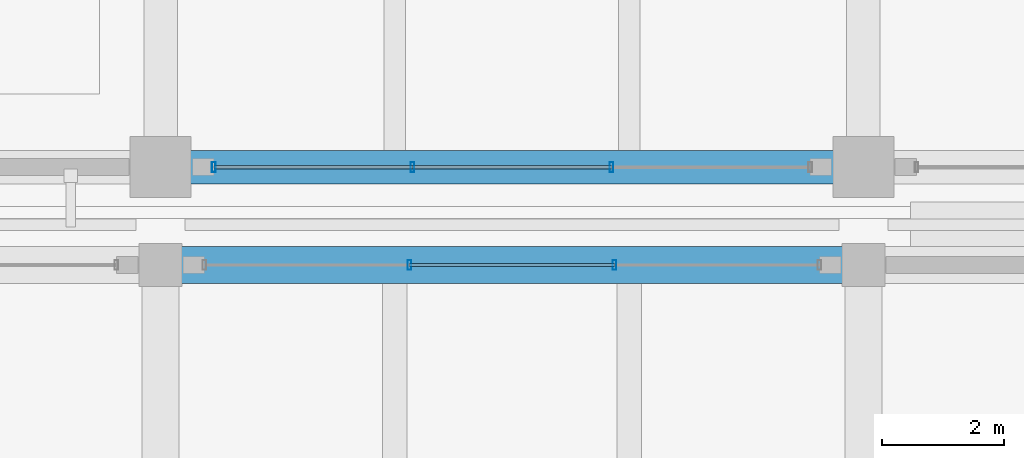
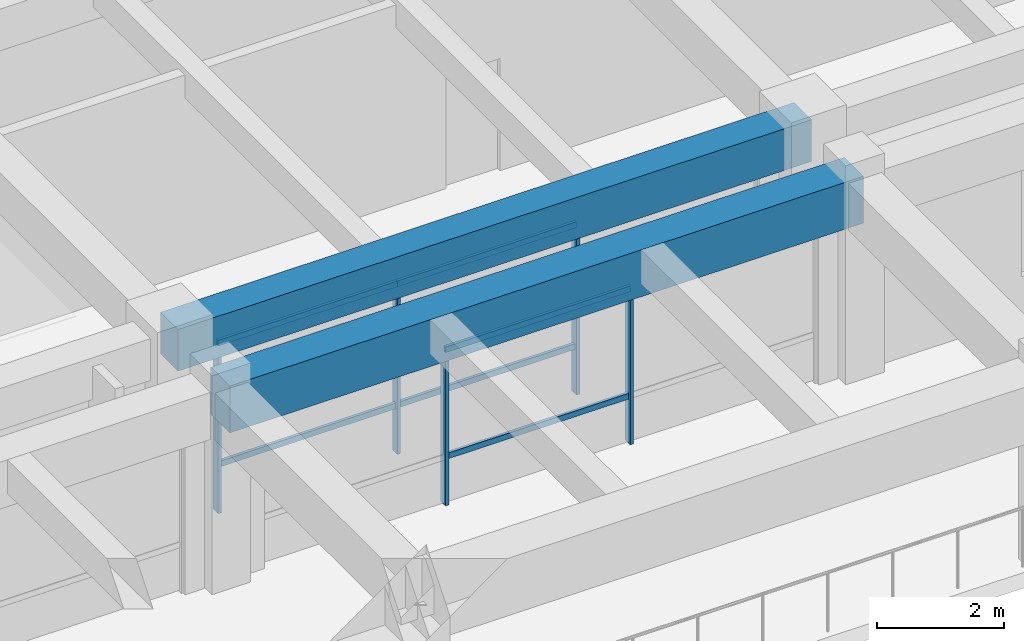
# One storey, part 53 of 98: 11 members, 2 beams, 2 elements without a shape of their own.
"""IFC4 building model written with IfcOpenShell, lengths in metres."""

from ifc_helpers import new_model, si_unit, direction, frame, origin, origin_2d, place, context, subcontext, project, spatial, rectangle, hollow_rectangle, extrude, material, material_profile, profile_set, type_object, element, aggregate, save


model = new_model("IFC4")

# Units and contexts
model_context = context("Model", 3, precision=1e-05, world=origin(), true_north=direction((0.0, 1.0)))
body_context = subcontext(model_context, "Body", "Model", "MODEL_VIEW")
ifc_project = project(units=[si_unit("LENGTHUNIT", "METRE"), si_unit("AREAUNIT", "SQUARE_METRE"), si_unit("VOLUMEUNIT", "CUBIC_METRE"), si_unit("PLANEANGLEUNIT", "RADIAN"), si_unit("MASSUNIT", "GRAM", prefix="KILO")], contexts=[model_context])

# Site, building, storey
site_placement = place(None, origin())
site = spatial("IfcSite", under=ifc_project, at=site_placement, CompositionType="ELEMENT")
building_placement = place(site_placement, origin())
building = spatial("IfcBuilding", under=site, at=building_placement, Name="Ologun Quay Terminus", CompositionType="ELEMENT")
storey_placement = place(building_placement, frame((0.0, 0.0, 4.199951171875)))
storey = spatial("IfcBuildingStorey", under=building, at=storey_placement, Name="L01", CompositionType="ELEMENT", Elevation=4.199951171875)

# Curtain wall, members
ifc_material_1 = material(Name="Aluminium 6063-T6", Category="aluminium")
curtain_wall_type_1 = type_object("IfcCurtainWallType", Name="Forecourt Mezzanine Curtain Wall 10700x3850", PredefinedType="USERDEFINED", material=ifc_material_1)
curtain_wall_1_placement = place(storey_placement, origin())
curtain_wall_1 = element("IfcCurtainWall", 1, at=curtain_wall_1_placement, inside=storey, type_object=curtain_wall_type_1, Name="CW-04 Curtain Wall CW-L01-091", ObjectType="UNITISED CURTAIN WALL", PredefinedType="USERDEFINED")
ifc_material_2 = material(Name="Aluminium 6063-T6", Category="aluminium")
ifc_material_profile_1 = material_profile(ifc_material_2, hollow_rectangle(XDim=0.06005859375, YDim=0.159912109375, WallThickness=0.00390625, at=origin_2d()), Name="ALU 160x60x4")
ifc_profile_set_1 = profile_set([ifc_material_profile_1], Name="Aluminium 6063-T6")
member_type_1 = type_object("IfcMemberType", Name="Courtyard Screen Mullion 160x65", PredefinedType="MULLION", material=ifc_profile_set_1)
member_1_placement = place(storey_placement, frame((130.5732421875, 84.199951171875, 0.0), z_axis=(0.0, 0.0, 1.0), x_axis=(1.0, 0.0, 0.0)))
member_1 = element("IfcMember", 2, at=member_1_placement, type_object=member_type_1, Name="CW-L01-091 Mullion 2", PredefinedType="MULLION", context=body_context, shape_type="SweptSolid", body=[
    extrude(hollow_rectangle(XDim=0.06005859375, YDim=0.159912109375, WallThickness=0.00390625, at=origin_2d()), origin(), (0.0, 0.0, 1.0), 3.650146484375),
])
member_2_placement = place(storey_placement, frame((133.9267578125, 84.199951171875, 0.0), z_axis=(0.0, 0.0, 1.0), x_axis=(1.0, 0.0, 0.0)))
member_2 = element("IfcMember", 3, at=member_2_placement, type_object=member_type_1, Name="CW-L01-091 Mullion 3", PredefinedType="MULLION", context=body_context, shape_type="SweptSolid", body=[
    extrude(hollow_rectangle(XDim=0.06005859375, YDim=0.159912109375, WallThickness=0.00390625, at=origin_2d()), origin(), (0.0, 0.0, 1.0), 3.650146484375),
])

ifc_material_3 = material(Name="Aluminium 6063-T6", Category="aluminium")
curtain_wall_type_2 = type_object("IfcCurtainWallType", Name="Waterfront Pavilion Harbour Curtain Wall L01 10500x3850", PredefinedType="USERDEFINED", material=ifc_material_3)
curtain_wall_2_placement = place(storey_placement, origin())
curtain_wall_2 = element("IfcCurtainWall", 4, at=curtain_wall_2_placement, inside=storey, type_object=curtain_wall_type_2, Name="CW-23 Curtain Wall CW-L01-124", ObjectType="UNITISED CURTAIN WALL", PredefinedType="USERDEFINED")
member_3_placement = place(storey_placement, frame((127.3701171875, 85.800048828125, 0.0), z_axis=(0.0, 0.0, 1.0), x_axis=(1.0, 0.0, 0.0)))
member_3 = element("IfcMember", 5, at=member_3_placement, type_object=member_type_1, Name="CW-L01-124 Mullion 1", PredefinedType="MULLION", context=body_context, shape_type="SweptSolid", body=[
    extrude(hollow_rectangle(XDim=0.06005859375, YDim=0.159912109375, WallThickness=0.00390625, at=origin_2d()), origin(), (0.0, 0.0, 1.0), 3.929931640625),
])
member_4_placement = place(storey_placement, frame((130.623291015625, 85.800048828125, 0.0), z_axis=(0.0, 0.0, 1.0), x_axis=(1.0, 0.0, 0.0)))
member_4 = element("IfcMember", 6, at=member_4_placement, type_object=member_type_1, Name="CW-L01-124 Mullion 2", PredefinedType="MULLION", context=body_context, shape_type="SweptSolid", body=[
    extrude(hollow_rectangle(XDim=0.06005859375, YDim=0.159912109375, WallThickness=0.00390625, at=origin_2d()), origin(), (0.0, 0.0, 1.0), 3.929931640625),
])
member_5_placement = place(storey_placement, frame((133.876708984375, 85.800048828125, 0.0), z_axis=(0.0, 0.0, 1.0), x_axis=(1.0, 0.0, 0.0)))
member_5 = element("IfcMember", 7, at=member_5_placement, type_object=member_type_1, Name="CW-L01-124 Mullion 3", PredefinedType="MULLION", context=body_context, shape_type="SweptSolid", body=[
    extrude(hollow_rectangle(XDim=0.06005859375, YDim=0.159912109375, WallThickness=0.00390625, at=origin_2d()), origin(), (0.0, 0.0, 1.0), 3.929931640625),
])

# Member
ifc_material_4 = material(Name="Aluminium 6063-T6", Category="aluminium")
ifc_material_profile_2 = material_profile(ifc_material_4, hollow_rectangle(XDim=0.054931640625, YDim=0.110107421875, WallThickness=0.00390625, at=origin_2d()), Name="ALU 110x55x4")
ifc_profile_set_2 = profile_set([ifc_material_profile_2], Name="Aluminium 6063-T6")
member_type_2 = type_object("IfcMemberType", Name="Courtyard Screen Transom 110x55", PredefinedType="USERDEFINED", material=ifc_profile_set_2)
member_6_placement = place(storey_placement, frame((130.5732421875, 84.199951171875, 0.900146484375), z_axis=(1.0, 0.0, 0.0), x_axis=(0.0, 1.0, 0.0)))
member_6 = element("IfcMember", 8, at=member_6_placement, type_object=member_type_2, Name="CW-L01-091 Transom B2-1", ObjectType="TRANSOM", PredefinedType="USERDEFINED", context=body_context, shape_type="SweptSolid", body=[
    extrude(hollow_rectangle(XDim=0.054931640625, YDim=0.110107421875, WallThickness=0.00390625, at=origin_2d()), origin(), (0.0, 0.0, 1.0), 3.353515625),
])

member_7_placement = place(storey_placement, frame((130.5732421875, 84.199951171875, 2.949951171875), z_axis=(1.0, 0.0, 0.0), x_axis=(0.0, 1.0, 0.0)))
member_7 = element("IfcMember", 9, at=member_7_placement, type_object=member_type_2, Name="CW-L01-091 Transom B2-2", ObjectType="TRANSOM", PredefinedType="USERDEFINED", context=body_context, shape_type="SweptSolid", body=[
    extrude(hollow_rectangle(XDim=0.054931640625, YDim=0.110107421875, WallThickness=0.00390625, at=origin_2d()), origin(), (0.0, 0.0, 1.0), 3.353515625),
])

aggregate(curtain_wall_1, [member_1, member_2, member_6, member_7])

member_8_placement = place(storey_placement, frame((127.3701171875, 85.800048828125, 0.900146484375), z_axis=(1.0, 0.0, 0.0), x_axis=(0.0, 1.0, 0.0)))
member_8 = element("IfcMember", 10, at=member_8_placement, type_object=member_type_2, Name="CW-L01-124 Transom B1-1", ObjectType="TRANSOM", PredefinedType="USERDEFINED", context=body_context, shape_type="SweptSolid", body=[
    extrude(hollow_rectangle(XDim=0.054931640625, YDim=0.110107421875, WallThickness=0.00390625, at=origin_2d()), origin(), (0.0, 0.0, 1.0), 3.253173828125),
])

member_9_placement = place(storey_placement, frame((127.3701171875, 85.800048828125, 3.22998046875), z_axis=(1.0, 0.0, 0.0), x_axis=(0.0, 1.0, 0.0)))
member_9 = element("IfcMember", 11, at=member_9_placement, type_object=member_type_2, Name="CW-L01-124 Transom B1-2", ObjectType="TRANSOM", PredefinedType="USERDEFINED", context=body_context, shape_type="SweptSolid", body=[
    extrude(hollow_rectangle(XDim=0.054931640625, YDim=0.110107421875, WallThickness=0.00390625, at=origin_2d()), origin(), (0.0, 0.0, 1.0), 3.253173828125),
])

member_10_placement = place(storey_placement, frame((130.623291015625, 85.800048828125, 0.900146484375), z_axis=(1.0, 0.0, 0.0), x_axis=(0.0, 1.0, 0.0)))
member_10 = element("IfcMember", 12, at=member_10_placement, type_object=member_type_2, Name="CW-L01-124 Transom B2-1", ObjectType="TRANSOM", PredefinedType="USERDEFINED", context=body_context, shape_type="SweptSolid", body=[
    extrude(hollow_rectangle(XDim=0.054931640625, YDim=0.110107421875, WallThickness=0.00390625, at=origin_2d()), origin(), (0.0, 0.0, 1.0), 3.25341796875),
])

member_11_placement = place(storey_placement, frame((130.623291015625, 85.800048828125, 3.22998046875), z_axis=(1.0, 0.0, 0.0), x_axis=(0.0, 1.0, 0.0)))
member_11 = element("IfcMember", 13, at=member_11_placement, type_object=member_type_2, Name="CW-L01-124 Transom B2-2", ObjectType="TRANSOM", PredefinedType="USERDEFINED", context=body_context, shape_type="SweptSolid", body=[
    extrude(hollow_rectangle(XDim=0.054931640625, YDim=0.110107421875, WallThickness=0.00390625, at=origin_2d()), origin(), (0.0, 0.0, 1.0), 3.25341796875),
])

aggregate(curtain_wall_2, [member_3, member_4, member_5, member_8, member_9, member_10, member_11])

# Beams
ifc_material_5 = material(Name="Concrete C40/50", Category="concrete")
ifc_material_profile_3 = material_profile(ifc_material_5, rectangle(XDim=0.550048828125, YDim=0.800048828125, at=origin_2d()), Name="RC 550x800")
ifc_profile_set_3 = profile_set([ifc_material_profile_3], Name="Concrete C40/50")
beam_type_1 = type_object("IfcBeamType", Name="Courtyard Wing Primary Girder 550x800", PredefinedType="BEAM", material=ifc_profile_set_3)
beam_1_placement = place(storey_placement, frame((126.5, 85.800048828125, 3.550048828125), z_axis=(1.0, 0.0, 0.0), x_axis=(0.0, 1.0, 0.0)))
element("IfcBeam", 14, at=beam_1_placement, inside=storey, type_object=beam_type_1, Name="B4 Beam 12/G2 L01", PredefinedType="BEAM", context=body_context, shape_type="SweptSolid", body=[
    extrude(rectangle(XDim=0.550048828125, YDim=0.800048828125, at=origin_2d()), origin(), (0.0, 0.0, 1.0), 11.5),
])
ifc_material_6 = material(Name="Concrete C40/50", Category="concrete")
ifc_material_profile_4 = material_profile(ifc_material_6, rectangle(XDim=0.60009765625, YDim=0.89990234375, at=origin_2d()), Name="RC 600x900")
ifc_profile_set_4 = profile_set([ifc_material_profile_4], Name="Concrete C40/50")
beam_type_2 = type_object("IfcBeamType", Name="Station Frame Girder 600x900", PredefinedType="BEAM", material=ifc_profile_set_4)
beam_2_placement = place(storey_placement, frame((126.5, 84.199951171875, 3.400146484375), z_axis=(1.0, 0.0, 0.0), x_axis=(0.0, 1.0, 0.0)))
element("IfcBeam", 15, at=beam_2_placement, inside=storey, type_object=beam_type_2, Name="B3 Beam 12/G1 L01", PredefinedType="BEAM", context=body_context, shape_type="SweptSolid", body=[
    extrude(rectangle(XDim=0.60009765625, YDim=0.89990234375, at=origin_2d()), origin(), (0.0, 0.0, 1.0), 11.5),
])

save(model, "model.ifc")
